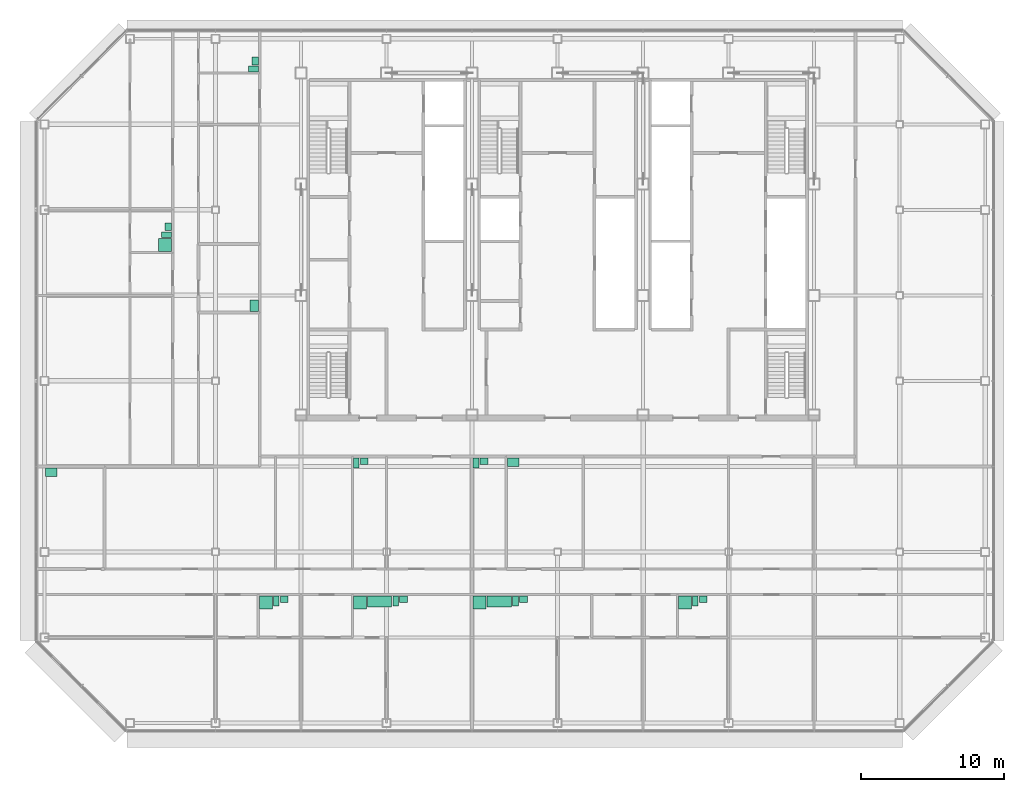
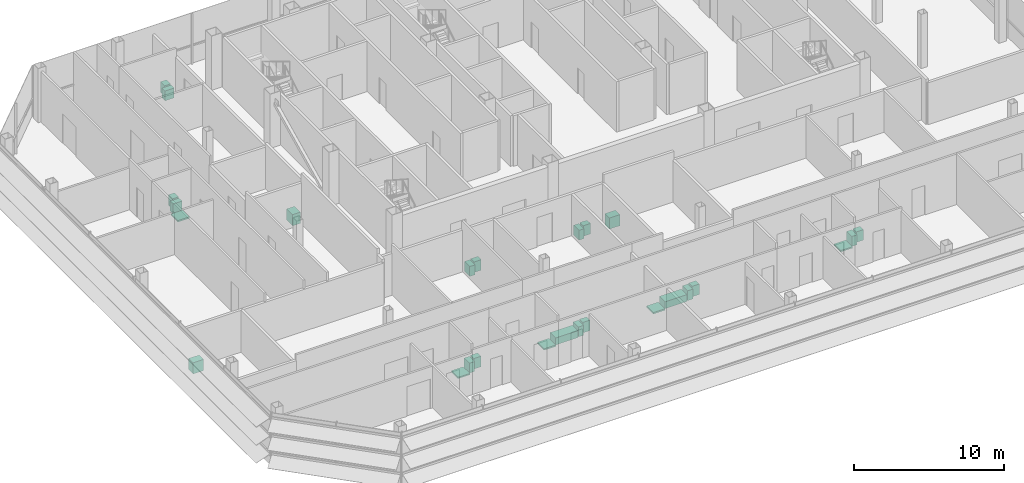
# One storey, part 29 of 29: 26 sanitary terminals.
"""IFC4 building model written with IfcOpenShell, lengths in metres."""

from ifc_helpers import new_model, si_unit, direction, frame, origin, origin_2d, place, context, subcontext, project, spatial, rectangle, extrude, element, save


model = new_model("IFC4")

# Units and contexts
model_context = context("Model", 3, precision=1e-05, world=origin(), true_north=direction((0.0, 1.0)))
body_context = subcontext(model_context, "Body", "Model", "MODEL_VIEW")
ifc_project = project(units=[si_unit("LENGTHUNIT", "METRE"), si_unit("AREAUNIT", "SQUARE_METRE"), si_unit("VOLUMEUNIT", "CUBIC_METRE"), si_unit("PLANEANGLEUNIT", "RADIAN"), si_unit("MASSUNIT", "GRAM", prefix="KILO")], contexts=[model_context])

# Site, building, storey
site_placement = place(None, origin())
site = spatial("IfcSite", under=ifc_project, at=site_placement, CompositionType="ELEMENT")
building_placement = place(site_placement, origin())
building = spatial("IfcBuilding", under=site, at=building_placement, Name="Sorahane Residences", CompositionType="ELEMENT")
storey_placement = place(building_placement, frame((0.0, 0.0, 277.39990234375)))
storey = spatial("IfcBuildingStorey", under=building, at=storey_placement, Name="L66", CompositionType="ELEMENT", Elevation=277.39990234375)

# Sanitary terminals
sanitary_terminal_1_placement = place(storey_placement, frame((3.530029296875, 8.449951171875, 0.0), z_axis=(0.0, 0.0, 1.0), x_axis=(1.0, 0.0, 0.0)))
element("IfcSanitaryTerminal", 1, at=sanitary_terminal_1_placement, inside=storey, Name="Shower tray En-suite bathroom 66A", PredefinedType="SHOWER", context=body_context, shape_type="SweptSolid", body=[
    extrude(rectangle(XDim=0.89990234375, YDim=0.89990234375, at=origin_2d()), origin(), (0.0, 0.0, 1.0), 0.1201171875),
])
sanitary_terminal_2_placement = place(storey_placement, frame((4.260009765625, 8.550048828125, 0.0), z_axis=(0.0, 0.0, 1.0), x_axis=(1.0, 0.0, 0.0)))
element("IfcSanitaryTerminal", 2, at=sanitary_terminal_2_placement, inside=storey, Name="WC pan En-suite bathroom 66A", PredefinedType="TOILETPAN", context=body_context, shape_type="SweptSolid", body=[
    extrude(rectangle(XDim=0.39990234375, YDim=0.699951171875, at=origin_2d()), origin(), (0.0, 0.0, 1.0), 0.800048828125),
])
sanitary_terminal_3_placement = place(storey_placement, frame((4.81494140625, 8.675048828125, 0.0), z_axis=(0.0, 0.0, 1.0), x_axis=(1.0, 0.0, 0.0)))
element("IfcSanitaryTerminal", 3, at=sanitary_terminal_3_placement, inside=storey, Name="Wash basin En-suite bathroom 66A", PredefinedType="WASHHANDBASIN", context=body_context, shape_type="SweptSolid", body=[
    extrude(rectangle(XDim=0.550048828125, YDim=0.449951171875, at=origin_2d()), origin(), (0.0, 0.0, 1.0), 0.85009765625),
])
sanitary_terminal_4_placement = place(storey_placement, frame((10.1298828125, 8.449951171875, 0.0), z_axis=(0.0, 0.0, 1.0), x_axis=(1.0, 0.0, 0.0)))
element("IfcSanitaryTerminal", 4, at=sanitary_terminal_4_placement, inside=storey, Name="Shower tray En-suite bathroom 66A-2", PredefinedType="SHOWER", context=body_context, shape_type="SweptSolid", body=[
    extrude(rectangle(XDim=0.89990234375, YDim=0.89990234375, at=origin_2d()), origin(), (0.0, 0.0, 1.0), 0.1201171875),
])
sanitary_terminal_5_placement = place(storey_placement, frame((11.510009765625, 8.52490234375, 0.0), z_axis=(0.0, 0.0, 1.0), x_axis=(1.0, 0.0, 0.0)))
element("IfcSanitaryTerminal", 5, at=sanitary_terminal_5_placement, inside=storey, Name="Bath En-suite bathroom 66A-2", PredefinedType="BATH", context=body_context, shape_type="SweptSolid", body=[
    extrude(rectangle(XDim=1.699951171875, YDim=0.75, at=origin_2d()), origin(), (0.0, 0.0, 1.0), 0.56005859375),
])
sanitary_terminal_6_placement = place(storey_placement, frame((12.639892578125, 8.550048828125, 0.0), z_axis=(0.0, 0.0, 1.0), x_axis=(1.0, 0.0, 0.0)))
element("IfcSanitaryTerminal", 6, at=sanitary_terminal_6_placement, inside=storey, Name="WC pan En-suite bathroom 66A-2", PredefinedType="TOILETPAN", context=body_context, shape_type="SweptSolid", body=[
    extrude(rectangle(XDim=0.39990234375, YDim=0.699951171875, at=origin_2d()), origin(), (0.0, 0.0, 1.0), 0.800048828125),
])
sanitary_terminal_7_placement = place(storey_placement, frame((13.195068359375, 8.675048828125, 0.0), z_axis=(0.0, 0.0, 1.0), x_axis=(1.0, 0.0, 0.0)))
element("IfcSanitaryTerminal", 7, at=sanitary_terminal_7_placement, inside=storey, Name="Wash basin En-suite bathroom 66A-2", PredefinedType="WASHHANDBASIN", context=body_context, shape_type="SweptSolid", body=[
    extrude(rectangle(XDim=0.550048828125, YDim=0.449951171875, at=origin_2d()), origin(), (0.0, 0.0, 1.0), 0.85009765625),
])
sanitary_terminal_8_placement = place(storey_placement, frame((-11.52001953125, 17.60009765625, 0.000244140625), z_axis=(0.0, 0.0, 1.0), x_axis=(1.0, 0.0, 0.0)))
element("IfcSanitaryTerminal", 8, at=sanitary_terminal_8_placement, inside=storey, Name="Kitchen sink Kitchen 66A", PredefinedType="SINK", context=body_context, shape_type="SweptSolid", body=[
    extrude(rectangle(XDim=0.800048828125, YDim=0.60009765625, at=origin_2d()), origin(), (0.0, 0.0, 1.0), 0.89990234375),
])
sanitary_terminal_9_placement = place(storey_placement, frame((9.8798828125, 18.25, 0.0), z_axis=(0.0, 0.0, 1.0), x_axis=(1.0, 0.0, 0.0)))
element("IfcSanitaryTerminal", 9, at=sanitary_terminal_9_placement, inside=storey, Name="WC pan Guest WC 66A", PredefinedType="TOILETPAN", context=body_context, shape_type="SweptSolid", body=[
    extrude(rectangle(XDim=0.39990234375, YDim=0.699951171875, at=origin_2d()), origin(), (0.0, 0.0, 1.0), 0.800048828125),
])
sanitary_terminal_10_placement = place(storey_placement, frame((10.43505859375, 18.375, 0.0), z_axis=(0.0, 0.0, 1.0), x_axis=(1.0, 0.0, 0.0)))
element("IfcSanitaryTerminal", 10, at=sanitary_terminal_10_placement, inside=storey, Name="Wash basin Guest WC 66A", PredefinedType="WASHHANDBASIN", context=body_context, shape_type="SweptSolid", body=[
    extrude(rectangle(XDim=0.550048828125, YDim=0.449951171875, at=origin_2d()), origin(), (0.0, 0.0, 1.0), 0.85009765625),
])
sanitary_terminal_11_placement = place(storey_placement, frame((18.530029296875, 8.449951171875, 0.0), z_axis=(0.0, 0.0, 1.0), x_axis=(1.0, 0.0, 0.0)))
element("IfcSanitaryTerminal", 11, at=sanitary_terminal_11_placement, inside=storey, Name="Shower tray En-suite bathroom 66B", PredefinedType="SHOWER", context=body_context, shape_type="SweptSolid", body=[
    extrude(rectangle(XDim=0.89990234375, YDim=0.89990234375, at=origin_2d()), origin(), (0.0, 0.0, 1.0), 0.1201171875),
])
sanitary_terminal_12_placement = place(storey_placement, frame((19.909912109375, 8.52490234375, 0.0), z_axis=(0.0, 0.0, 1.0), x_axis=(1.0, 0.0, 0.0)))
element("IfcSanitaryTerminal", 12, at=sanitary_terminal_12_placement, inside=storey, Name="Bath En-suite bathroom 66B", PredefinedType="BATH", context=body_context, shape_type="SweptSolid", body=[
    extrude(rectangle(XDim=1.699951171875, YDim=0.75, at=origin_2d()), origin(), (0.0, 0.0, 1.0), 0.56005859375),
])
sanitary_terminal_13_placement = place(storey_placement, frame((21.0400390625, 8.550048828125, 0.0), z_axis=(0.0, 0.0, 1.0), x_axis=(1.0, 0.0, 0.0)))
element("IfcSanitaryTerminal", 13, at=sanitary_terminal_13_placement, inside=storey, Name="WC pan En-suite bathroom 66B", PredefinedType="TOILETPAN", context=body_context, shape_type="SweptSolid", body=[
    extrude(rectangle(XDim=0.39990234375, YDim=0.699951171875, at=origin_2d()), origin(), (0.0, 0.0, 1.0), 0.800048828125),
])
sanitary_terminal_14_placement = place(storey_placement, frame((21.594970703125, 8.675048828125, 0.0), z_axis=(0.0, 0.0, 1.0), x_axis=(1.0, 0.0, 0.0)))
element("IfcSanitaryTerminal", 14, at=sanitary_terminal_14_placement, inside=storey, Name="Wash basin En-suite bathroom 66B", PredefinedType="WASHHANDBASIN", context=body_context, shape_type="SweptSolid", body=[
    extrude(rectangle(XDim=0.550048828125, YDim=0.449951171875, at=origin_2d()), origin(), (0.0, 0.0, 1.0), 0.85009765625),
])
sanitary_terminal_15_placement = place(storey_placement, frame((32.929931640625, 8.449951171875, 0.0), z_axis=(0.0, 0.0, 1.0), x_axis=(1.0, 0.0, 0.0)))
element("IfcSanitaryTerminal", 15, at=sanitary_terminal_15_placement, inside=storey, Name="Shower tray En-suite bathroom 66B-2", PredefinedType="SHOWER", context=body_context, shape_type="SweptSolid", body=[
    extrude(rectangle(XDim=0.89990234375, YDim=0.89990234375, at=origin_2d()), origin(), (0.0, 0.0, 1.0), 0.1201171875),
])
sanitary_terminal_16_placement = place(storey_placement, frame((33.659912109375, 8.550048828125, 0.0), z_axis=(0.0, 0.0, 1.0), x_axis=(1.0, 0.0, 0.0)))
element("IfcSanitaryTerminal", 16, at=sanitary_terminal_16_placement, inside=storey, Name="WC pan En-suite bathroom 66B-2", PredefinedType="TOILETPAN", context=body_context, shape_type="SweptSolid", body=[
    extrude(rectangle(XDim=0.39990234375, YDim=0.699951171875, at=origin_2d()), origin(), (0.0, 0.0, 1.0), 0.800048828125),
])
sanitary_terminal_17_placement = place(storey_placement, frame((34.215087890625, 8.675048828125, 0.0), z_axis=(0.0, 0.0, 1.0), x_axis=(1.0, 0.0, 0.0)))
element("IfcSanitaryTerminal", 17, at=sanitary_terminal_17_placement, inside=storey, Name="Wash basin En-suite bathroom 66B-2", PredefinedType="WASHHANDBASIN", context=body_context, shape_type="SweptSolid", body=[
    extrude(rectangle(XDim=0.550048828125, YDim=0.449951171875, at=origin_2d()), origin(), (0.0, 0.0, 1.0), 0.85009765625),
])
sanitary_terminal_18_placement = place(storey_placement, frame((18.280029296875, 18.25, 0.0), z_axis=(0.0, 0.0, 1.0), x_axis=(1.0, 0.0, 0.0)))
element("IfcSanitaryTerminal", 18, at=sanitary_terminal_18_placement, inside=storey, Name="WC pan Powder room 66B", PredefinedType="TOILETPAN", context=body_context, shape_type="SweptSolid", body=[
    extrude(rectangle(XDim=0.39990234375, YDim=0.699951171875, at=origin_2d()), origin(), (0.0, 0.0, 1.0), 0.800048828125),
])
sanitary_terminal_19_placement = place(storey_placement, frame((18.8349609375, 18.375, 0.0), z_axis=(0.0, 0.0, 1.0), x_axis=(1.0, 0.0, 0.0)))
element("IfcSanitaryTerminal", 19, at=sanitary_terminal_19_placement, inside=storey, Name="Wash basin Powder room 66B", PredefinedType="WASHHANDBASIN", context=body_context, shape_type="SweptSolid", body=[
    extrude(rectangle(XDim=0.550048828125, YDim=0.449951171875, at=origin_2d()), origin(), (0.0, 0.0, 1.0), 0.85009765625),
])
sanitary_terminal_20_placement = place(storey_placement, frame((20.8798828125, 18.300048828125, 0.000244140625), z_axis=(0.0, 0.0, 1.0), x_axis=(1.0, 0.0, 0.0)))
element("IfcSanitaryTerminal", 20, at=sanitary_terminal_20_placement, inside=storey, Name="Kitchen sink Kitchen 66B", PredefinedType="SINK", context=body_context, shape_type="SweptSolid", body=[
    extrude(rectangle(XDim=0.800048828125, YDim=0.60009765625, at=origin_2d()), origin(), (0.0, 0.0, 1.0), 0.89990234375),
])
sanitary_terminal_21_placement = place(storey_placement, frame((-3.550048828125, 33.530029296875, 0.0), z_axis=(0.0, 0.0, 1.0), x_axis=(0.0, -1.0, 0.0)))
element("IfcSanitaryTerminal", 21, at=sanitary_terminal_21_placement, inside=storey, Name="Shower tray En-suite bathroom 66C", PredefinedType="SHOWER", context=body_context, shape_type="SweptSolid", body=[
    extrude(rectangle(XDim=0.89990234375, YDim=0.89990234375, at=origin_2d()), origin(), (0.0, 0.0, 1.0), 0.1201171875),
])
sanitary_terminal_22_placement = place(storey_placement, frame((-3.449951171875, 34.260009765625, 0.0), z_axis=(0.0, 0.0, 1.0), x_axis=(0.0, -1.0, 0.0)))
element("IfcSanitaryTerminal", 22, at=sanitary_terminal_22_placement, inside=storey, Name="WC pan En-suite bathroom 66C", PredefinedType="TOILETPAN", context=body_context, shape_type="SweptSolid", body=[
    extrude(rectangle(XDim=0.39990234375, YDim=0.699951171875, at=origin_2d()), origin(), (0.0, 0.0, 1.0), 0.800048828125),
])
sanitary_terminal_23_placement = place(storey_placement, frame((-3.324951171875, 34.81494140625, 0.0), z_axis=(0.0, 0.0, 1.0), x_axis=(0.0, -1.0, 0.0)))
element("IfcSanitaryTerminal", 23, at=sanitary_terminal_23_placement, inside=storey, Name="Wash basin En-suite bathroom 66C", PredefinedType="WASHHANDBASIN", context=body_context, shape_type="SweptSolid", body=[
    extrude(rectangle(XDim=0.550048828125, YDim=0.449951171875, at=origin_2d()), origin(), (0.0, 0.0, 1.0), 0.85009765625),
])
sanitary_terminal_24_placement = place(storey_placement, frame((2.699951171875, 29.280029296875, 0.000244140625), z_axis=(0.0, 0.0, 1.0), x_axis=(0.0, -1.0, 0.0)))
element("IfcSanitaryTerminal", 24, at=sanitary_terminal_24_placement, inside=storey, Name="Kitchen sink Kitchen 66C", PredefinedType="SINK", context=body_context, shape_type="SweptSolid", body=[
    extrude(rectangle(XDim=0.800048828125, YDim=0.60009765625, at=origin_2d()), origin(), (0.0, 0.0, 1.0), 0.89990234375),
])
sanitary_terminal_25_placement = place(storey_placement, frame((2.64990234375, 45.8798828125, 0.0), z_axis=(0.0, 0.0, 1.0), x_axis=(0.0, -1.0, 0.0)))
element("IfcSanitaryTerminal", 25, at=sanitary_terminal_25_placement, inside=storey, Name="WC pan Guest WC 66C", PredefinedType="TOILETPAN", context=body_context, shape_type="SweptSolid", body=[
    extrude(rectangle(XDim=0.39990234375, YDim=0.699951171875, at=origin_2d()), origin(), (0.0, 0.0, 1.0), 0.800048828125),
])
sanitary_terminal_26_placement = place(storey_placement, frame((2.77490234375, 46.43505859375, 0.0), z_axis=(0.0, 0.0, 1.0), x_axis=(0.0, -1.0, 0.0)))
element("IfcSanitaryTerminal", 26, at=sanitary_terminal_26_placement, inside=storey, Name="Wash basin Guest WC 66C", PredefinedType="WASHHANDBASIN", context=body_context, shape_type="SweptSolid", body=[
    extrude(rectangle(XDim=0.550048828125, YDim=0.449951171875, at=origin_2d()), origin(), (0.0, 0.0, 1.0), 0.85009765625),
])

save(model, "model.ifc")
